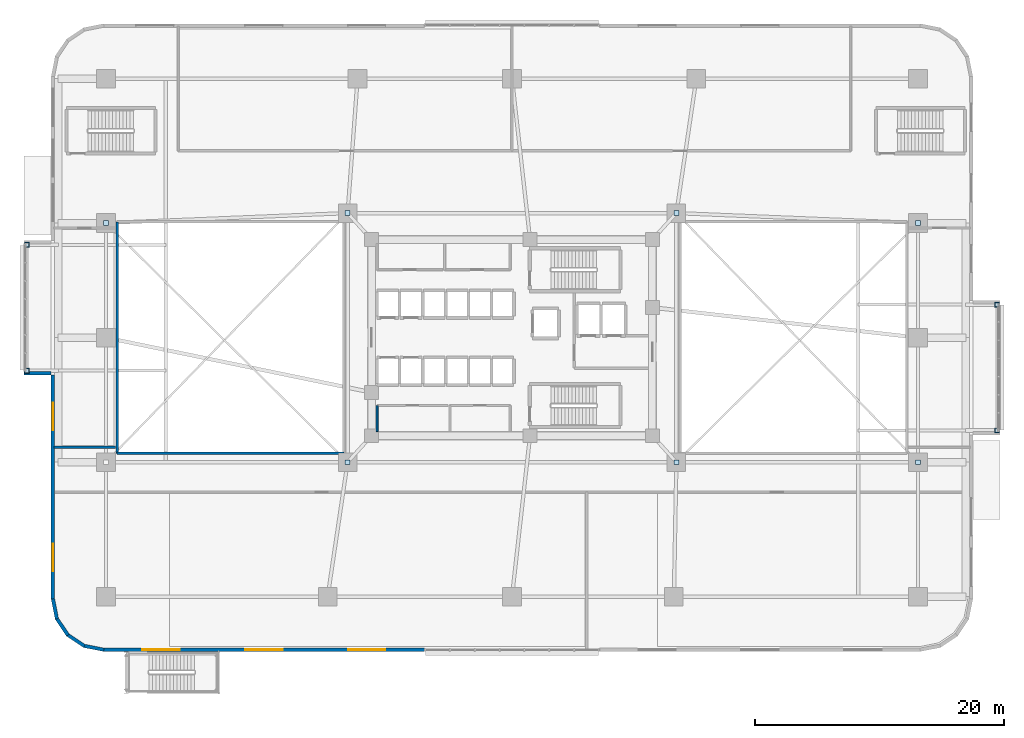
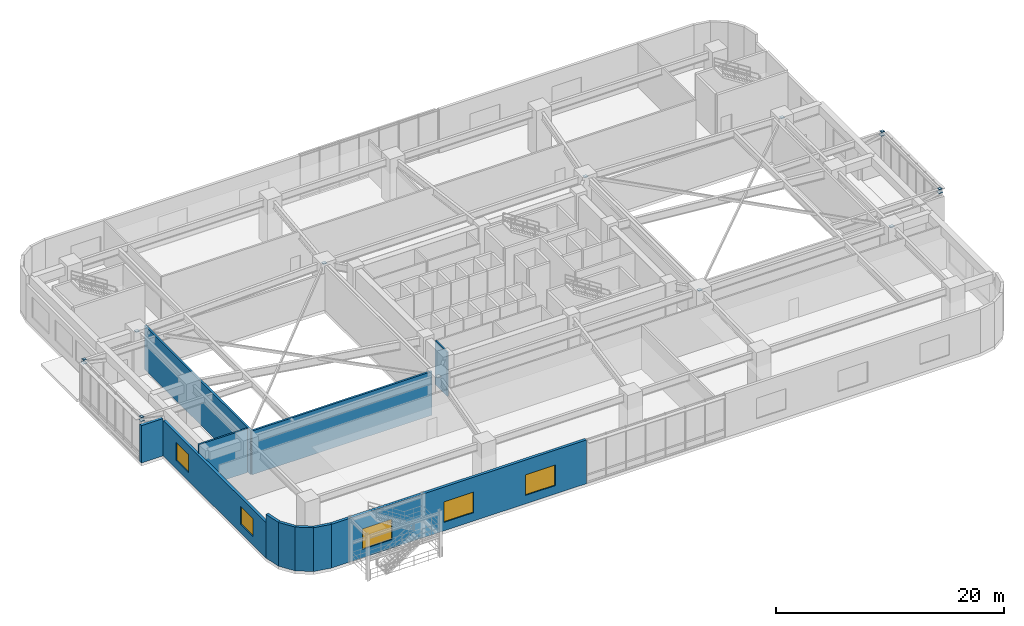
# One storey, part 17 of 26: 15 plates, 11 walls, 5 windows, 5 openings.
"""IFC4 building model written with IfcOpenShell, lengths in metres."""

from ifc_helpers import new_model, si_unit, direction, frame, frame_2d, origin, origin_2d, place, context, subcontext, project, spatial, rectangle, extrude, material, layer, layer_set, type_object, element, fill, save


model = new_model("IFC4")

# Units and contexts
model_context = context("Model", 3, precision=1e-05, world=origin(), true_north=direction((0.0, 1.0)))
body_context = subcontext(model_context, "Body", "Model", "MODEL_VIEW")
ifc_project = project(units=[si_unit("LENGTHUNIT", "METRE"), si_unit("AREAUNIT", "SQUARE_METRE"), si_unit("VOLUMEUNIT", "CUBIC_METRE"), si_unit("PLANEANGLEUNIT", "RADIAN"), si_unit("MASSUNIT", "GRAM", prefix="KILO")], contexts=[model_context])

# Site, building, storey
site_placement = place(None, origin())
site = spatial("IfcSite", under=ifc_project, at=site_placement, CompositionType="ELEMENT")
building_placement = place(site_placement, origin())
building = spatial("IfcBuilding", under=site, at=building_placement, Name="Zulverin Broadcast Headquarters", CompositionType="ELEMENT")
storey_placement = place(building_placement, frame((0.0, 0.0, 15.0)))
storey = spatial("IfcBuildingStorey", under=building, at=storey_placement, Name="L03", CompositionType="ELEMENT", Elevation=15.0)

# Plates
ifc_material_1 = material(Name="Structural steel S355JR", Category="steel")
ifc_layer_1 = layer(ifc_material_1, 0.02490234375, Name="Structural steel S355JR", Category="steel")
ifc_layer_set_1 = layer_set([ifc_layer_1], Name="Structural steel S355JR")
plate_type_1 = type_object("IfcPlateType", Name="PLT-NODE-SBN1", PredefinedType="SHEET", material=ifc_layer_set_1)
plate_1_placement = place(storey_placement, frame((75.949951171875, 17.75, 4.677490234375), z_axis=(0.0, 0.0, 1.0), x_axis=(1.0, 0.0, 0.0)))
element("IfcPlate", 1, at=plate_1_placement, inside=storey, type_object=plate_type_1, Name="SBN-1 Studio Box Post End Cap Plate L03-SBOX_POD_UPPER_E1-1", PredefinedType="SHEET", context=body_context, shape_type="SweptSolid", body=[
    extrude(rectangle(XDim=0.300048828125, YDim=0.300048828125, at=origin_2d()), origin(), (0.0, 0.0, 1.0), 0.02490234375),
])
plate_2_placement = place(storey_placement, frame((75.949951171875, 17.75, 4.317626953125), z_axis=(0.0, 0.0, 1.0), x_axis=(1.0, 0.0, 0.0)))
element("IfcPlate", 2, at=plate_2_placement, inside=storey, type_object=plate_type_1, Name="SBN-1 Studio Box Node Gusset Plate L03-SBOX_POD_UPPER_E1-1", PredefinedType="SHEET", context=body_context, shape_type="SweptSolid", body=[
    extrude(rectangle(XDim=0.419921875, YDim=0.419921875, at=origin_2d()), origin(), (0.0, 0.0, 1.0), 0.02490234375),
])
plate_3_placement = place(storey_placement, frame((75.949951171875, 27.85009765625, 4.677490234375), z_axis=(0.0, 0.0, 1.0), x_axis=(1.0, 0.0, 0.0)))
element("IfcPlate", 3, at=plate_3_placement, inside=storey, type_object=plate_type_1, Name="SBN-1 Studio Box Post End Cap Plate L03-SBOX_POD_UPPER_E1-2", PredefinedType="SHEET", context=body_context, shape_type="SweptSolid", body=[
    extrude(rectangle(XDim=0.300048828125, YDim=0.300048828125, at=origin_2d()), origin(), (0.0, 0.0, 1.0), 0.02490234375),
])
plate_4_placement = place(storey_placement, frame((75.949951171875, 27.85009765625, 4.317626953125), z_axis=(0.0, 0.0, 1.0), x_axis=(1.0, 0.0, 0.0)))
element("IfcPlate", 4, at=plate_4_placement, inside=storey, type_object=plate_type_1, Name="SBN-1 Studio Box Node Gusset Plate L03-SBOX_POD_UPPER_E1-2", PredefinedType="SHEET", context=body_context, shape_type="SweptSolid", body=[
    extrude(rectangle(XDim=0.419921875, YDim=0.419921875, at=origin_2d()), origin(), (0.0, 0.0, 1.0), 0.02490234375),
])
plate_5_placement = place(storey_placement, frame((-1.949951171875, 22.550048828125, 4.677490234375), z_axis=(0.0, 0.0, 1.0), x_axis=(1.0, 0.0, 0.0)))
element("IfcPlate", 5, at=plate_5_placement, inside=storey, type_object=plate_type_1, Name="SBN-1 Studio Box Post End Cap Plate L03-SBOX_POD_UPPER_W1-1", PredefinedType="SHEET", context=body_context, shape_type="SweptSolid", body=[
    extrude(rectangle(XDim=0.300048828125, YDim=0.300048828125, at=origin_2d()), origin(), (0.0, 0.0, 1.0), 0.02490234375),
])
plate_6_placement = place(storey_placement, frame((-1.949951171875, 22.550048828125, 4.317626953125), z_axis=(0.0, 0.0, 1.0), x_axis=(1.0, 0.0, 0.0)))
element("IfcPlate", 6, at=plate_6_placement, inside=storey, type_object=plate_type_1, Name="SBN-1 Studio Box Node Gusset Plate L03-SBOX_POD_UPPER_W1-1", PredefinedType="SHEET", context=body_context, shape_type="SweptSolid", body=[
    extrude(rectangle(XDim=0.419921875, YDim=0.419921875, at=origin_2d()), origin(), (0.0, 0.0, 1.0), 0.02490234375),
])
plate_7_placement = place(storey_placement, frame((-1.949951171875, 32.64990234375, 4.677490234375), z_axis=(0.0, 0.0, 1.0), x_axis=(1.0, 0.0, 0.0)))
element("IfcPlate", 7, at=plate_7_placement, inside=storey, type_object=plate_type_1, Name="SBN-1 Studio Box Post End Cap Plate L03-SBOX_POD_UPPER_W1-2", PredefinedType="SHEET", context=body_context, shape_type="SweptSolid", body=[
    extrude(rectangle(XDim=0.300048828125, YDim=0.300048828125, at=origin_2d()), origin(), (0.0, 0.0, 1.0), 0.02490234375),
])
plate_8_placement = place(storey_placement, frame((-1.949951171875, 32.64990234375, 4.317626953125), z_axis=(0.0, 0.0, 1.0), x_axis=(1.0, 0.0, 0.0)))
element("IfcPlate", 8, at=plate_8_placement, inside=storey, type_object=plate_type_1, Name="SBN-1 Studio Box Node Gusset Plate L03-SBOX_POD_UPPER_W1-2", PredefinedType="SHEET", context=body_context, shape_type="SweptSolid", body=[
    extrude(rectangle(XDim=0.419921875, YDim=0.419921875, at=origin_2d()), origin(), (0.0, 0.0, 1.0), 0.02490234375),
])
ifc_layer_2 = layer(ifc_material_1, 0.030029296875, Name="Structural steel S355JR", Category="steel")
ifc_layer_set_2 = layer_set([ifc_layer_2], Name="Structural steel S355JR")
plate_type_2 = type_object("IfcPlateType", Name="PLT-NODE-SBN2", PredefinedType="SHEET", material=ifc_layer_set_2)
for number, where, z_axis, x_axis, name in (
    (9, (23.800048828125, 35.199951171875, 4.4150390625), (0.0, 0.0, 1.0), (1.0, 0.0, 0.0), "SBN-2 Studio Strut Plate L03-1B"),
    (10, (4.39990234375, 34.39990234375, 4.4150390625), (0.0, 0.0, 1.0), (1.0, 0.0, 0.0), "SBN-2 Studio Strut Plate L03-2A"),
    (11, (23.800048828125, 15.199951171875, 4.4150390625), (0.0, 0.0, 1.0), (1.0, 0.0, 0.0), "SBN-2 Studio Strut Plate L03-2B"),
    (12, (69.60009765625, 15.199951171875, 4.4150390625), (0.0, 0.0, 1.0), (1.0, 0.0, 0.0), "SBN-2 Studio Strut Plate L03-3A"),
    (13, (50.199951171875, 35.199951171875, 4.4150390625), (0.0, 0.0, 1.0), (1.0, 0.0, 0.0), "SBN-2 Studio Strut Plate L03-3B"),
    (14, (69.60009765625, 34.39990234375, 4.4150390625), (0.0, 0.0, 1.0), (1.0, 0.0, 0.0), "SBN-2 Studio Strut Plate L03-4A"),
    (15, (50.199951171875, 15.199951171875, 4.4150390625), (0.0, 0.0, 1.0), (1.0, 0.0, 0.0), "SBN-2 Studio Strut Plate L03-4B"),
):
    element("IfcPlate", number, at=place(storey_placement, frame(where, z_axis=z_axis, x_axis=x_axis)), inside=storey, type_object=plate_type_2, Name=name, PredefinedType="SHEET", context=body_context, shape_type="SweptSolid", body=[
        extrude(rectangle(XDim=0.3798828125, YDim=0.3798828125, at=origin_2d()), origin(), (0.0, 0.0, 1.0), 0.030029296875),
    ])

# Walls
ifc_material_2 = material(Name="Acoustic drywall steel stud", Category="steel")
ifc_layer_3 = layer(ifc_material_2, 0.199951171875, Name="Acoustic drywall steel stud", Category="steel")
ifc_layer_set_3 = layer_set([ifc_layer_3], Name="Acoustic drywall steel stud")
wall_type_1 = type_object("IfcWallType", Name="WL-ACOU-200", PredefinedType="PARTITIONING", material=ifc_layer_set_3)
wall_1_placement = place(storey_placement, frame((5.300048828125, 15.89990234375, 0.0), z_axis=(0.0, 0.0, 1.0), x_axis=(0.0, 1.0, 0.0)))
element("IfcWall", 16, at=wall_1_placement, inside=storey, type_object=wall_type_1, Name="L03 WEST Studio Void W Wall", PredefinedType="PARTITIONING", context=body_context, shape_type="SweptSolid", body=[
    extrude(rectangle(XDim=18.60009765625, YDim=0.199951171875, at=frame_2d((9.300048828125, 0.0))), origin(), (0.0, 0.0, 1.0), 4.679931640625),
])
wall_2_placement = place(storey_placement, frame((5.300048828125, 15.89990234375, 0.0), z_axis=(0.0, 0.0, 1.0), x_axis=(1.0, 0.0, 0.0)))
element("IfcWall", 17, at=wall_2_placement, inside=storey, type_object=wall_type_1, Name="L03 WEST Studio Void S Wall", PredefinedType="PARTITIONING", context=body_context, shape_type="SweptSolid", body=[
    extrude(rectangle(XDim=18.199951171875, YDim=0.199951171875, at=frame_2d((9.10009765625, 0.0))), origin(), (0.0, 0.0, 1.0), 4.679931640625),
])

# Wall, openings, windows
ifc_material_3 = material(Name="Insulated pale-metal clad concrete spandrel C40/50", Category="concrete")
ifc_layer_4 = layer(ifc_material_3, 0.280029296875, Name="Insulated pale-metal clad concrete spandrel C40/50", Category="concrete")
ifc_layer_set_4 = layer_set([ifc_layer_4], Name="Insulated pale-metal clad concrete spandrel C40/50")
wall_type_2 = type_object("IfcWallType", Name="WL-EXT-280", PredefinedType="STANDARD", material=ifc_layer_set_4)
wall_3_placement = place(storey_placement, frame((0.139892578125, 22.199951171875, 0.0), z_axis=(0.0, 0.0, 1.0), x_axis=(0.0, -1.0, 0.0)))
wall_3 = element("IfcWall", 18, at=wall_3_placement, inside=storey, type_object=wall_type_2, Name="L03 Podium Spandrel Wall 3-2", PredefinedType="STANDARD", context=body_context, shape_type="SweptSolid", body=[
    extrude(rectangle(XDim=18.0, YDim=0.280029296875, at=frame_2d((9.0, 0.0))), origin(), (0.0, 0.0, 1.0), 3.780029296875),
])
opening_1_placement = place(wall_3_placement, frame((2.2333984375, 0.0, 0.89990234375)))
opening_1 = element("IfcOpeningElement", 19, at=opening_1_placement, cuts=wall_3, Name="Opening W-L03-E3S21", PredefinedType="OPENING", context=body_context, shape_type="SweptSolid", body=[
    extrude(rectangle(XDim=2.199951171875, YDim=1.949951171875, at=frame_2d((1.10009765625, 0.97509765625))), frame((0.0, 0.14990234375, 0.0), z_axis=(0.0, -1.0, 0.0), x_axis=(1.0, 0.0, 0.0)), (0.0, 0.0, 1.0), 0.300048828125),
])
opening_2_placement = place(wall_3_placement, frame((13.566650390625, 0.0, 0.89990234375)))
opening_2 = element("IfcOpeningElement", 20, at=opening_2_placement, cuts=wall_3, Name="Opening W-L03-E3S22", PredefinedType="OPENING", context=body_context, shape_type="SweptSolid", body=[
    extrude(rectangle(XDim=2.199951171875, YDim=1.949951171875, at=frame_2d((1.10009765625, 0.97509765625))), frame((0.0, 0.14990234375, 0.0), z_axis=(0.0, -1.0, 0.0), x_axis=(1.0, 0.0, 0.0)), (0.0, 0.0, 1.0), 0.300048828125),
])
ifc_material_4 = material(Name="Pale anodized aluminium frame with solar-control low-E double glazing", Category="aluminium")
window_type_1 = type_object("IfcWindowType", Name="WIN-POD-2200", PartitioningType="SINGLE_PANEL", PredefinedType="WINDOW", material=ifc_material_4)
window_1_placement = place(opening_1_placement, origin())
window_1 = element("IfcWindow", 21, at=window_1_placement, inside=storey, type_object=window_type_1, Name="L03 Podium Ribbon Window 3-2 1", OverallHeight=1.949951171875, OverallWidth=2.199951171875, PartitioningType="SINGLE_PANEL", PredefinedType="WINDOW", context=body_context, shape_type="SweptSolid", body=[
    extrude(rectangle(XDim=2.199951171875, YDim=1.949951171875, at=frame_2d((1.10009765625, 0.97509765625))), frame((0.0, 0.030029296875, 0.0), z_axis=(0.0, -1.0, 0.0), x_axis=(1.0, 0.0, 0.0)), (0.0, 0.0, 1.0), 0.06005859375),
])
fill(opening_1, window_1)
window_2_placement = place(opening_2_placement, origin())
window_2 = element("IfcWindow", 22, at=window_2_placement, inside=storey, type_object=window_type_1, Name="L03 Podium Ribbon Window 3-2 2", OverallHeight=1.949951171875, OverallWidth=2.199951171875, PartitioningType="SINGLE_PANEL", PredefinedType="WINDOW", context=body_context, shape_type="SweptSolid", body=[
    extrude(rectangle(XDim=2.199951171875, YDim=1.949951171875, at=frame_2d((1.10009765625, 0.97509765625))), frame((0.0, 0.030029296875, 0.0), z_axis=(0.0, -1.0, 0.0), x_axis=(1.0, 0.0, 0.0)), (0.0, 0.0, 1.0), 0.06005859375),
])
fill(opening_2, window_2)

wall_4_placement = place(storey_placement, frame((4.199951171875, 0.139892578125, 0.0), z_axis=(0.0, 0.0, 1.0), x_axis=(1.0, 0.0, 0.0)))
wall_4 = element("IfcWall", 23, at=wall_4_placement, inside=storey, type_object=wall_type_2, Name="L03 Podium Flank Wall 4-1", PredefinedType="STANDARD", context=body_context, shape_type="SweptSolid", body=[
    extrude(rectangle(XDim=25.761962890625, YDim=0.280029296875, at=frame_2d((12.880859375, 0.0))), origin(), (0.0, 0.0, 1.0), 4.679931640625),
])
opening_3_placement = place(wall_4_placement, frame((3.126953125, 0.0, 0.89990234375)))
opening_3 = element("IfcOpeningElement", 24, at=opening_3_placement, cuts=wall_4, Name="Opening W-L03-F411", PredefinedType="OPENING", context=body_context, shape_type="SweptSolid", body=[
    extrude(rectangle(XDim=3.0, YDim=2.199951171875, at=frame_2d((1.5, 1.10009765625))), frame((0.0, 0.14990234375, 0.0), z_axis=(0.0, -1.0, 0.0), x_axis=(1.0, 0.0, 0.0)), (0.0, 0.0, 1.0), 0.300048828125),
])
opening_4_placement = place(wall_4_placement, frame((11.381103515625, 0.0, 0.89990234375)))
opening_4 = element("IfcOpeningElement", 25, at=opening_4_placement, cuts=wall_4, Name="Opening W-L03-F412", PredefinedType="OPENING", context=body_context, shape_type="SweptSolid", body=[
    extrude(rectangle(XDim=3.0, YDim=2.199951171875, at=frame_2d((1.5, 1.10009765625))), frame((0.0, 0.14990234375, 0.0), z_axis=(0.0, -1.0, 0.0), x_axis=(1.0, 0.0, 0.0)), (0.0, 0.0, 1.0), 0.300048828125),
])
opening_5_placement = place(wall_4_placement, frame((19.635009765625, 0.0, 0.89990234375)))
opening_5 = element("IfcOpeningElement", 26, at=opening_5_placement, cuts=wall_4, Name="Opening W-L03-F413", PredefinedType="OPENING", context=body_context, shape_type="SweptSolid", body=[
    extrude(rectangle(XDim=3.0, YDim=2.199951171875, at=frame_2d((1.5, 1.10009765625))), frame((0.0, 0.14990234375, 0.0), z_axis=(0.0, -1.0, 0.0), x_axis=(1.0, 0.0, 0.0)), (0.0, 0.0, 1.0), 0.300048828125),
])
window_type_2 = type_object("IfcWindowType", Name="WIN-POD-3000", PartitioningType="SINGLE_PANEL", PredefinedType="WINDOW", material=ifc_material_4)
window_3_placement = place(opening_3_placement, origin())
window_3 = element("IfcWindow", 27, at=window_3_placement, inside=storey, type_object=window_type_2, Name="L03 Podium Flank Window 4-1 1", OverallHeight=2.199951171875, OverallWidth=3.0, PartitioningType="SINGLE_PANEL", PredefinedType="WINDOW", context=body_context, shape_type="SweptSolid", body=[
    extrude(rectangle(XDim=3.0, YDim=2.199951171875, at=frame_2d((1.5, 1.10009765625))), frame((0.0, 0.030029296875, 0.0), z_axis=(0.0, -1.0, 0.0), x_axis=(1.0, 0.0, 0.0)), (0.0, 0.0, 1.0), 0.06005859375),
])
fill(opening_3, window_3)
window_4_placement = place(opening_4_placement, origin())
window_4 = element("IfcWindow", 28, at=window_4_placement, inside=storey, type_object=window_type_2, Name="L03 Podium Flank Window 4-1 2", OverallHeight=2.199951171875, OverallWidth=3.0, PartitioningType="SINGLE_PANEL", PredefinedType="WINDOW", context=body_context, shape_type="SweptSolid", body=[
    extrude(rectangle(XDim=3.0, YDim=2.199951171875, at=frame_2d((1.5, 1.10009765625))), frame((0.0, 0.030029296875, 0.0), z_axis=(0.0, -1.0, 0.0), x_axis=(1.0, 0.0, 0.0)), (0.0, 0.0, 1.0), 0.06005859375),
])
fill(opening_4, window_4)
window_5_placement = place(opening_5_placement, origin())
window_5 = element("IfcWindow", 29, at=window_5_placement, inside=storey, type_object=window_type_2, Name="L03 Podium Flank Window 4-1 3", OverallHeight=2.199951171875, OverallWidth=3.0, PartitioningType="SINGLE_PANEL", PredefinedType="WINDOW", context=body_context, shape_type="SweptSolid", body=[
    extrude(rectangle(XDim=3.0, YDim=2.199951171875, at=frame_2d((1.5, 1.10009765625))), frame((0.0, 0.030029296875, 0.0), z_axis=(0.0, -1.0, 0.0), x_axis=(1.0, 0.0, 0.0)), (0.0, 0.0, 1.0), 0.06005859375),
])
fill(opening_5, window_5)

# Walls
for number, where, z_axis, x_axis, name in (
    (30, (0.13720703125, 4.227294921875, 0.0), (0.0, 0.0, 1.0), (0.19517056122, -0.980769316421, 0.0), "L03 Wind-Shaped Corner Spandrel Wall 3-1"),
    (31, (0.43603515625, 2.67041015625, 0.0), (0.0, 0.0, 1.0), (0.555731236514, -0.831362010656, 0.0), "L03 Wind-Shaped Corner Spandrel Wall 3-2"),
    (32, (1.30810546875, 1.3466796875, 0.0), (0.0, 0.0, 1.0), (0.831362010656, -0.555731236514, 0.0), "L03 Wind-Shaped Corner Spandrel Wall 3-3"),
    (33, (2.6201171875, 0.45703125, 0.0), (0.0, 0.0, 1.0), (0.980769316421, -0.19517056122, 0.0), "L03 Wind-Shaped Corner Spandrel Wall 3-4"),
):
    element("IfcWall", number, at=place(storey_placement, frame(where, z_axis=z_axis, x_axis=x_axis)), inside=storey, type_object=wall_type_2, Name=name, PredefinedType="STANDARD", context=body_context, shape_type="SweptSolid", body=[
        extrude(rectangle(XDim=1.638671875, YDim=0.280029296875, at=frame_2d((0.8193359375, 0.0))), origin(), (0.0, 0.0, 1.0), 4.679931640625),
    ])
wall_5_placement = place(storey_placement, frame((-2.199951171875, 22.340087890625, 0.0), z_axis=(0.0, 0.0, 1.0), x_axis=(1.0, 0.0, 0.0)))
element("IfcWall", 34, at=wall_5_placement, inside=storey, type_object=wall_type_2, Name="L03 Shifted Studio Box Cheek Wall SBOX_POD_UPPER_W1-S", PredefinedType="STANDARD", context=body_context, shape_type="SweptSolid", body=[
    extrude(rectangle(XDim=2.199951171875, YDim=0.280029296875, at=frame_2d((1.10009765625, 0.0))), origin(), (0.0, 0.0, 1.0), 3.987060546875),
])
ifc_material_5 = material(Name="Fire-rated gypsum stud partition", Category="gypsum")
ifc_layer_5 = layer(ifc_material_5, 0.14990234375, Name="Fire-rated gypsum stud partition", Category="gypsum")
ifc_layer_set_5 = layer_set([ifc_layer_5], Name="Fire-rated gypsum stud partition")
wall_type_3 = type_object("IfcWallType", Name="WL-PART-150", PredefinedType="PARTITIONING", material=ifc_layer_set_5)
wall_6_placement = place(storey_placement, frame((26.169921875, 17.64990234375, 0.0), z_axis=(0.0, 0.0, 1.0), x_axis=(0.0, 1.0, 0.0)))
element("IfcWall", 35, at=wall_6_placement, inside=storey, type_object=wall_type_3, Name="L03 Core Female WC West Wall", PredefinedType="PARTITIONING", context=body_context, shape_type="SweptSolid", body=[
    extrude(rectangle(XDim=2.10009765625, YDim=0.14990234375, at=frame_2d((1.050048828125, 0.0))), origin(), (0.0, 0.0, 1.0), 4.679931640625),
])
ifc_material_6 = material(Name="Fire-rated acoustic stud wall", Category="gypsum")
ifc_layer_6 = layer(ifc_material_6, 0.175048828125, Name="Fire-rated acoustic stud wall", Category="gypsum")
ifc_layer_set_6 = layer_set([ifc_layer_6], Name="Fire-rated acoustic stud wall")
wall_type_4 = type_object("IfcWallType", Name="WL-PART-175", PredefinedType="PARTITIONING", material=ifc_layer_set_6)
wall_7_placement = place(storey_placement, frame((0.205078125, 16.39990234375, 0.0), z_axis=(0.0, 0.0, 1.0), x_axis=(1.0, 0.0, 0.0)))
element("IfcWall", 36, at=wall_7_placement, inside=storey, type_object=wall_type_4, Name="L03 Gallery Partition Wall CG-08", PredefinedType="PARTITIONING", context=body_context, shape_type="SweptSolid", body=[
    extrude(rectangle(XDim=4.94482421875, YDim=0.175048828125, at=frame_2d((2.472412109375, 0.0))), origin(), (0.0, 0.0, 1.0), 4.679931640625),
])

save(model, "model.ifc")
